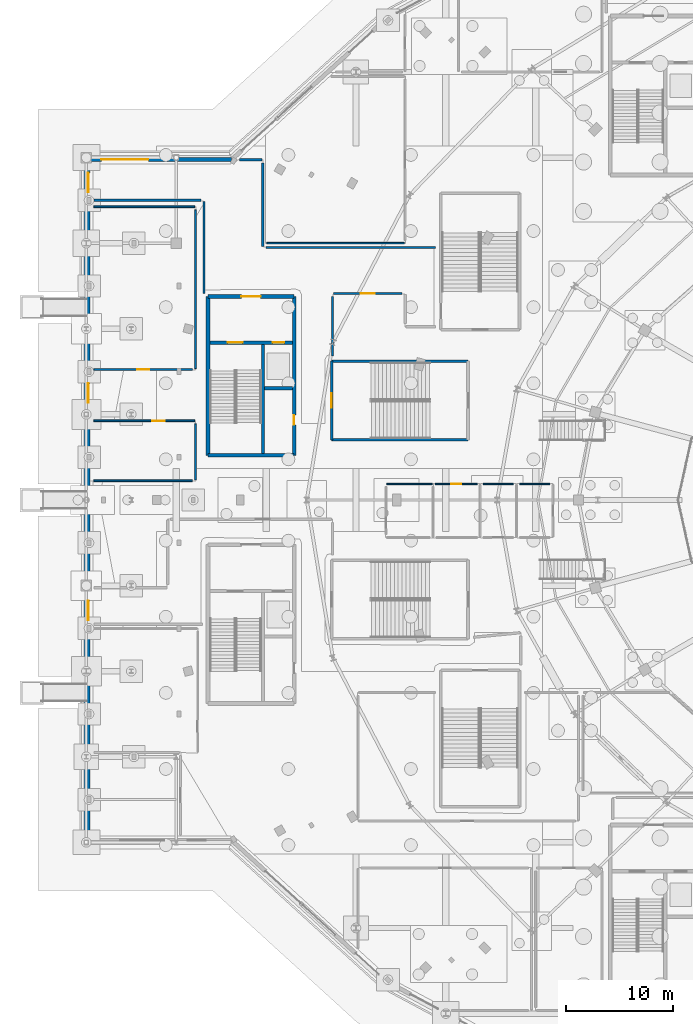
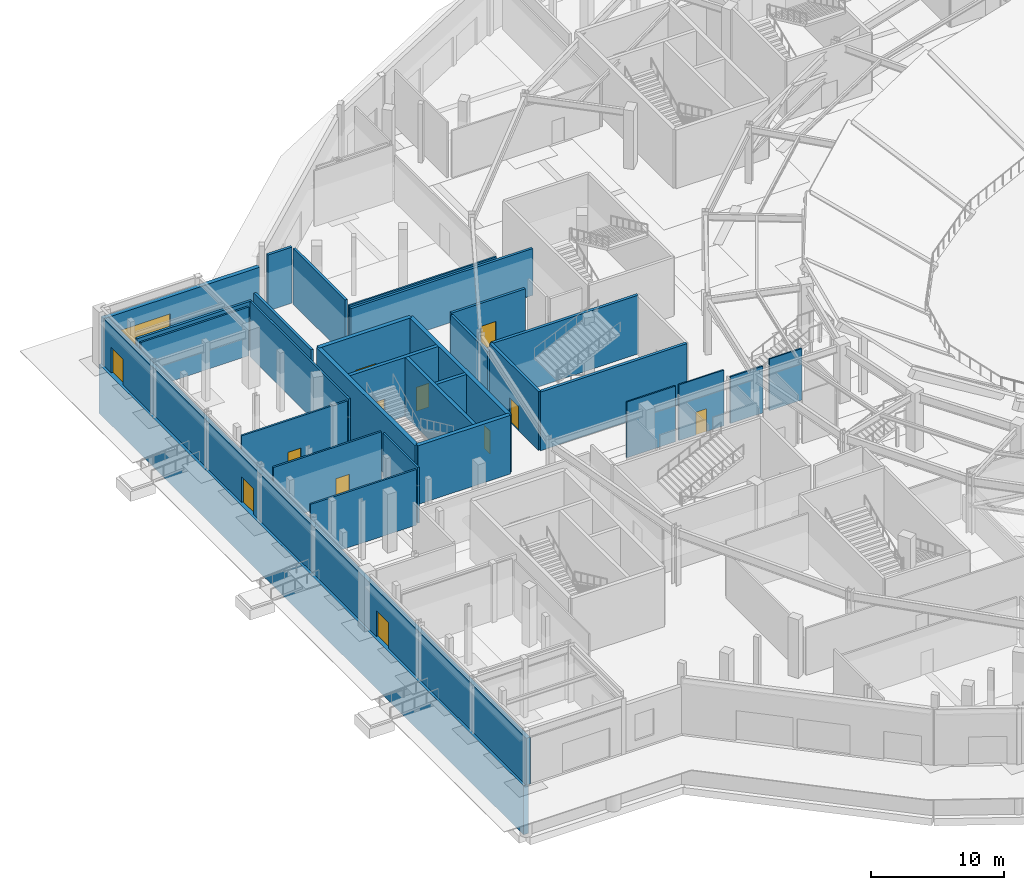
# One storey, part 56 of 93: 31 walls, 13 doors, 13 openings.
"""IFC4 building model written with IfcOpenShell, lengths in metres."""

from ifc_helpers import new_model, si_unit, direction, frame, frame_2d, origin, place, context, subcontext, project, spatial, rectangle, extrude, material, layer, layer_set, type_object, element, fill, save


model = new_model("IFC4")

# Units and contexts
model_context = context("Model", 3, precision=1e-05, world=origin(), true_north=direction((0.0, 1.0)))
body_context = subcontext(model_context, "Body", "Model", "MODEL_VIEW")
ifc_project = project(units=[si_unit("LENGTHUNIT", "METRE"), si_unit("AREAUNIT", "SQUARE_METRE"), si_unit("VOLUMEUNIT", "CUBIC_METRE"), si_unit("PLANEANGLEUNIT", "RADIAN"), si_unit("MASSUNIT", "GRAM", prefix="KILO")], contexts=[model_context])

# Site, building, storey
site_placement = place(None, origin())
site = spatial("IfcSite", under=ifc_project, at=site_placement, CompositionType="ELEMENT")
building_placement = place(site_placement, origin())
building = spatial("IfcBuilding", under=site, at=building_placement, Name="Kalgoora Escarpment Arena", CompositionType="ELEMENT")
storey_placement = place(building_placement, origin())
storey = spatial("IfcBuildingStorey", under=building, at=storey_placement, Name="L00", CompositionType="ELEMENT", Elevation=0.0)

# Wall
ifc_material_1 = material(Name="Concrete N50 (fc' 50 MPa)", Category="concrete")
ifc_layer_1 = layer(ifc_material_1, 0.35009765625)
ifc_layer_set_1 = layer_set([ifc_layer_1], Name="WAL-CORE-350")
wall_type_1 = type_object("IfcWallType", Name="WAL-CORE-350", PredefinedType="SHEAR", material=ifc_layer_set_1)
wall_1_placement = place(storey_placement, frame((11.375, 68.175048828125, 0.0), z_axis=(0.0, 0.0, 1.0), x_axis=(1.0, 0.0, 0.0)))
element("IfcWall", 1, at=wall_1_placement, inside=storey, type_object=wall_type_1, Name="Core C1 L00 south shear wall", PredefinedType="SHEAR", context=body_context, shape_type="SweptSolid", body=[
    extrude(rectangle(XDim=8.050048828125, YDim=0.35009765625, at=frame_2d((4.02490234375, 0.0))), origin(), (0.0, 0.0, 1.0), 5.39990234375),
])

# Wall, opening, door
wall_2_placement = place(storey_placement, frame((11.375, 83.02490234375, 0.0), z_axis=(0.0, 0.0, 1.0), x_axis=(1.0, 0.0, 0.0)))
wall_2 = element("IfcWall", 2, at=wall_2_placement, inside=storey, type_object=wall_type_1, Name="Core C1 L00 north lobby wall", PredefinedType="SHEAR", context=body_context, shape_type="SweptSolid", body=[
    extrude(rectangle(XDim=8.050048828125, YDim=0.35009765625, at=frame_2d((4.02490234375, 0.0))), origin(), (0.0, 0.0, 1.0), 5.39990234375),
])
opening_1_placement = place(wall_2_placement, frame((3.125, 0.0, 0.0)))
opening_1 = element("IfcOpeningElement", 3, at=opening_1_placement, cuts=wall_2, Name="Opening FD-C1L", PredefinedType="OPENING", context=body_context, shape_type="SweptSolid", body=[
    extrude(rectangle(XDim=1.800048828125, YDim=2.25, at=frame_2d((0.89990234375, 1.125))), frame((0.0, 0.18505859375, 0.0), z_axis=(0.0, -1.0, 0.0), x_axis=(1.0, 0.0, 0.0)), (0.0, 0.0, 1.0), 0.3701171875),
])
ifc_material_2 = material(Name="Double fire-rated smoke-seal lobby door")
door_type_1 = type_object("IfcDoorType", Name="DR-LOBBY-1800", OperationType="NOTDEFINED", PredefinedType="DOOR", material=ifc_material_2)
door_1_placement = place(opening_1_placement, origin())
door_1 = element("IfcDoor", 4, at=door_1_placement, inside=storey, type_object=door_type_1, Name="Core C1 L00 smoke-lobby fire door", OperationType="DOUBLE_DOOR_SINGLE_SWING", OverallHeight=2.25, OverallWidth=1.800048828125, PredefinedType="DOOR", context=body_context, shape_type="SweptSolid", body=[
    extrude(rectangle(XDim=1.800048828125, YDim=2.25, at=frame_2d((0.89990234375, 1.125))), frame((0.0, 0.02490234375, 0.0), z_axis=(0.0, -1.0, 0.0), x_axis=(1.0, 0.0, 0.0)), (0.0, 0.0, 1.0), 0.050048828125),
])
fill(opening_1, door_1)

# Wall
wall_3_placement = place(storey_placement, frame((11.375, 68.175048828125, 0.0), z_axis=(0.0, 0.0, 1.0), x_axis=(0.0, 1.0, 0.0)))
element("IfcWall", 5, at=wall_3_placement, inside=storey, type_object=wall_type_1, Name="Core C1 L00 west shear wall", PredefinedType="SHEAR", context=body_context, shape_type="SweptSolid", body=[
    extrude(rectangle(XDim=14.849853515625, YDim=0.35009765625, at=frame_2d((7.4248046875, 0.0))), origin(), (0.0, 0.0, 1.0), 5.39990234375),
])

# Wall, opening, door
wall_4_placement = place(storey_placement, frame((19.425048828125, 68.175048828125, 0.0), z_axis=(0.0, 0.0, 1.0), x_axis=(0.0, 1.0, 0.0)))
wall_4 = element("IfcWall", 6, at=wall_4_placement, inside=storey, type_object=wall_type_1, Name="Core C1 L00 east shear wall", PredefinedType="SHEAR", context=body_context, shape_type="SweptSolid", body=[
    extrude(rectangle(XDim=14.849853515625, YDim=0.35009765625, at=frame_2d((7.4248046875, 0.0))), origin(), (0.0, 0.0, 1.0), 5.39990234375),
])
opening_2_placement = place(wall_4_placement, frame((2.85498046875, 0.0, 0.0)))
opening_2 = element("IfcOpeningElement", 7, at=opening_2_placement, cuts=wall_4, Name="Opening FD-C1R", PredefinedType="OPENING", context=body_context, shape_type="SweptSolid", body=[
    extrude(rectangle(XDim=0.89990234375, YDim=2.10009765625, at=frame_2d((0.449951171875, 1.050048828125))), frame((0.0, 0.18505859375, 0.0), z_axis=(0.0, -1.0, 0.0), x_axis=(1.0, 0.0, 0.0)), (0.0, 0.0, 1.0), 0.3701171875),
])
ifc_material_3 = material(Name="Fire-rated steel riser access door", Category="steel")
door_type_2 = type_object("IfcDoorType", Name="DR-RISER-0900", OperationType="NOTDEFINED", PredefinedType="DOOR", material=ifc_material_3)
door_2_placement = place(opening_2_placement, origin())
door_2 = element("IfcDoor", 8, at=door_2_placement, inside=storey, type_object=door_type_2, Name="Core C1 L00 riser cupboard access door", OperationType="SINGLE_SWING_RIGHT", OverallHeight=2.10009765625, OverallWidth=0.89990234375, PredefinedType="DOOR", context=body_context, shape_type="SweptSolid", body=[
    extrude(rectangle(XDim=0.89990234375, YDim=2.10009765625, at=frame_2d((0.449951171875, 1.050048828125))), frame((0.0, 0.02490234375, 0.0), z_axis=(0.0, -1.0, 0.0), x_axis=(1.0, 0.0, 0.0)), (0.0, 0.0, 1.0), 0.050048828125),
])
fill(opening_2, door_2)

# Wall, openings, doors
ifc_material_4 = material(Name="Cream limestone-faced precast concrete 40 MPa", Category="masonry")
ifc_layer_2 = layer(ifc_material_4, 0.360107421875)
ifc_layer_set_2 = layer_set([ifc_layer_2], Name="WAL-EXT-360")
wall_type_2 = type_object("IfcWallType", Name="WAL-EXT-360", PredefinedType="SOLIDWALL", material=ifc_layer_set_2)
wall_5_placement = place(storey_placement, frame((0.179931640625, 31.956787109375, 0.0), z_axis=(0.0, 0.0, 1.0), x_axis=(0.0, 1.0, 0.0)))
wall_5 = element("IfcWall", 9, at=wall_5_placement, inside=storey, type_object=wall_type_2, Name="L00 limestone-faced external wall 011", PredefinedType="SOLIDWALL", context=body_context, shape_type="SweptSolid", body=[
    extrude(rectangle(XDim=64.08642578125, YDim=0.360107421875, at=frame_2d((32.043212890625, 0.0))), origin(), (0.0, 0.0, 1.0), 4.324951171875),
])
opening_3_placement = place(wall_5_placement, frame((60.81005859375, 0.0, 0.0)))
opening_3 = element("IfcOpeningElement", 10, at=opening_3_placement, cuts=wall_5, Name="Opening G04", PredefinedType="OPENING", context=body_context, shape_type="SweptSolid", body=[
    extrude(rectangle(XDim=1.800048828125, YDim=2.35009765625, at=frame_2d((0.89990234375, 1.175048828125))), frame((0.0, 0.18994140625, 0.0), z_axis=(0.0, -1.0, 0.0), x_axis=(1.0, 0.0, 0.0)), (0.0, 0.0, 1.0), 0.380126953125),
])
opening_4_placement = place(wall_5_placement, frame((20.81005859375, 0.0, 0.0)))
opening_4 = element("IfcOpeningElement", 11, at=opening_4_placement, cuts=wall_5, Name="Opening G05", PredefinedType="OPENING", context=body_context, shape_type="SweptSolid", body=[
    extrude(rectangle(XDim=1.800048828125, YDim=2.35009765625, at=frame_2d((0.89990234375, 1.175048828125))), frame((0.0, 0.18994140625, 0.0), z_axis=(0.0, -1.0, 0.0), x_axis=(1.0, 0.0, 0.0)), (0.0, 0.0, 1.0), 0.380126953125),
])
opening_5_placement = place(wall_5_placement, frame((41.14306640625, 0.0, 0.0)))
opening_5 = element("IfcOpeningElement", 12, at=opening_5_placement, cuts=wall_5, Name="Opening G11", PredefinedType="OPENING", context=body_context, shape_type="SweptSolid", body=[
    extrude(rectangle(XDim=1.800048828125, YDim=2.35009765625, at=frame_2d((0.89990234375, 1.175048828125))), frame((0.0, 0.18994140625, 0.0), z_axis=(0.0, -1.0, 0.0), x_axis=(1.0, 0.0, 0.0)), (0.0, 0.0, 1.0), 0.380126953125),
])
ifc_material_5 = material(Name="Thermally broken aluminium glazed terrace double door", Category="aluminium")
door_type_3 = type_object("IfcDoorType", Name="DR-TERR-1800", OperationType="NOTDEFINED", PredefinedType="DOOR", material=ifc_material_5)
door_3_placement = place(opening_3_placement, origin())
door_3 = element("IfcDoor", 13, at=door_3_placement, inside=storey, type_object=door_type_3, Name="Final pedestrian exit door G04", OperationType="DOUBLE_DOOR_SINGLE_SWING", OverallHeight=2.35009765625, OverallWidth=1.800048828125, PredefinedType="DOOR", context=body_context, shape_type="SweptSolid", body=[
    extrude(rectangle(XDim=1.800048828125, YDim=2.35009765625, at=frame_2d((0.89990234375, 1.175048828125))), frame((0.0, 0.02490234375, 0.0), z_axis=(0.0, -1.0, 0.0), x_axis=(1.0, 0.0, 0.0)), (0.0, 0.0, 1.0), 0.050048828125),
])
fill(opening_3, door_3)
door_4_placement = place(opening_4_placement, origin())
door_4 = element("IfcDoor", 14, at=door_4_placement, inside=storey, type_object=door_type_3, Name="Final pedestrian exit door G05", OperationType="DOUBLE_DOOR_SINGLE_SWING", OverallHeight=2.35009765625, OverallWidth=1.800048828125, PredefinedType="DOOR", context=body_context, shape_type="SweptSolid", body=[
    extrude(rectangle(XDim=1.800048828125, YDim=2.35009765625, at=frame_2d((0.89990234375, 1.175048828125))), frame((0.0, 0.02490234375, 0.0), z_axis=(0.0, -1.0, 0.0), x_axis=(1.0, 0.0, 0.0)), (0.0, 0.0, 1.0), 0.050048828125),
])
fill(opening_4, door_4)
door_5_placement = place(opening_5_placement, origin())
door_5 = element("IfcDoor", 15, at=door_5_placement, inside=storey, type_object=door_type_3, Name="Final pedestrian exit door G11", OperationType="DOUBLE_DOOR_SINGLE_SWING", OverallHeight=2.35009765625, OverallWidth=1.800048828125, PredefinedType="DOOR", context=body_context, shape_type="SweptSolid", body=[
    extrude(rectangle(XDim=1.800048828125, YDim=2.35009765625, at=frame_2d((0.89990234375, 1.175048828125))), frame((0.0, 0.02490234375, 0.0), z_axis=(0.0, -1.0, 0.0), x_axis=(1.0, 0.0, 0.0)), (0.0, 0.0, 1.0), 0.050048828125),
])
fill(opening_5, door_5)

# Wall, opening, door
wall_6_placement = place(storey_placement, frame((-0.043212890625, 95.820068359375, 0.0), z_axis=(0.0, 0.0, 1.0), x_axis=(1.0, 0.0, 0.0)))
wall_6 = element("IfcWall", 16, at=wall_6_placement, inside=storey, type_object=wall_type_2, Name="L00 limestone-faced external wall 012", PredefinedType="SOLIDWALL", context=body_context, shape_type="SweptSolid", body=[
    extrude(rectangle(XDim=13.614501953125, YDim=0.360107421875, at=frame_2d((6.80712890625, 0.0))), origin(), (0.0, 0.0, 1.0), 4.324951171875),
])
opening_6_placement = place(wall_6_placement, frame((1.43994140625, 0.0, 0.0)))
opening_6 = element("IfcOpeningElement", 17, at=opening_6_placement, cuts=wall_6, Name="Opening G45", PredefinedType="OPENING", context=body_context, shape_type="SweptSolid", body=[
    extrude(rectangle(XDim=4.39990234375, YDim=2.75, at=frame_2d((2.199951171875, 1.375))), frame((0.0, 0.18994140625, 0.0), z_axis=(0.0, -1.0, 0.0), x_axis=(1.0, 0.0, 0.0)), (0.0, 0.0, 1.0), 0.380126953125),
])
ifc_material_6 = material(Name="Champagne anodised aluminium acoustic egress leaf", Category="aluminium")
door_type_4 = type_object("IfcDoorType", Name="DR-EGEXIT-2850", OperationType="NOTDEFINED", PredefinedType="DOOR", material=ifc_material_6)
door_6_placement = place(opening_6_placement, origin())
door_6 = element("IfcDoor", 18, at=door_6_placement, inside=storey, type_object=door_type_4, Name="Final pedestrian exit door G45", OperationType="DOUBLE_DOOR_SINGLE_SWING", OverallHeight=2.75, OverallWidth=4.39990234375, PredefinedType="DOOR", context=body_context, shape_type="SweptSolid", body=[
    extrude(rectangle(XDim=4.39990234375, YDim=2.75, at=frame_2d((2.199951171875, 1.375))), frame((0.0, 0.02490234375, 0.0), z_axis=(0.0, -1.0, 0.0), x_axis=(1.0, 0.0, 0.0)), (0.0, 0.0, 1.0), 0.050048828125),
])
fill(opening_6, door_6)

# Walls
ifc_material_7 = material(Name="Autoclaved aerated blockwork Concrete N40 (fc' 40 MPa)", Category="masonry")
ifc_layer_3 = layer(ifc_material_7, 0.219970703125)
ifc_layer_set_3 = layer_set([ifc_layer_3], Name="WAL-FIRE-220")
wall_type_3 = type_object("IfcWallType", Name="WAL-FIRE-220", PredefinedType="SOLIDWALL", material=ifc_layer_set_3)
wall_7_placement = place(storey_placement, frame((11.0, 83.293212890625, 0.0), z_axis=(0.0, 0.0, 1.0), x_axis=(0.0, 1.0, 0.0)))
element("IfcWall", 19, at=wall_7_placement, inside=storey, type_object=wall_type_3, Name="L00 North-West Protected Exit Passageway partition wall", PredefinedType="SOLIDWALL", context=body_context, shape_type="SweptSolid", body=[
    extrude(rectangle(XDim=8.626708984375, YDim=0.219970703125, at=frame_2d((4.3134765625, 0.0))), origin(), (0.0, 0.0, 1.0), 5.1298828125),
])
wall_8_placement = place(storey_placement, frame((10.715087890625, 92.0, 0.0), z_axis=(0.0, 0.0, 1.0), x_axis=(-1.0, 0.0, 0.0)))
element("IfcWall", 20, at=wall_8_placement, inside=storey, type_object=wall_type_3, Name="L00 North-West Protected Exit Passageway partition wall", PredefinedType="SOLIDWALL", context=body_context, shape_type="SweptSolid", body=[
    extrude(rectangle(XDim=10.005126953125, YDim=0.219970703125, at=frame_2d((5.00244140625, 0.0))), origin(), (0.0, 0.0, 1.0), 4.492919921875),
])
wall_9_placement = place(storey_placement, frame((14.32080078125, 95.79736328125, 0.0), z_axis=(0.0, 0.0, 1.0), x_axis=(0.999999323645, 0.00116306039, 0.0)))
element("IfcWall", 21, at=wall_9_placement, inside=storey, type_object=wall_type_3, Name="L00 North-West Protected Exit Passageway partition wall", PredefinedType="SOLIDWALL", context=body_context, shape_type="SweptSolid", body=[
    extrude(rectangle(XDim=2.09912109375, YDim=0.219970703125, at=frame_2d((1.049560546875, 0.0))), origin(), (0.0, 0.0, 1.0), 5.14990234375),
])
wall_10_placement = place(storey_placement, frame((16.5, 95.51513671875, 0.0), z_axis=(0.0, 0.0, 1.0), x_axis=(0.0, -1.0, 0.0)))
element("IfcWall", 22, at=wall_10_placement, inside=storey, type_object=wall_type_3, Name="L00 North-West Protected Exit Passageway partition wall", PredefinedType="SOLIDWALL", context=body_context, shape_type="SweptSolid", body=[
    extrude(rectangle(XDim=7.835205078125, YDim=0.219970703125, at=frame_2d((3.91748046875, 0.0))), origin(), (0.0, 0.0, 1.0), 5.1298828125),
])
wall_11_placement = place(storey_placement, frame((16.784912109375, 87.60009765625, 0.0), z_axis=(0.0, 0.0, 1.0), x_axis=(1.0, 0.0, 0.0)))
element("IfcWall", 23, at=wall_11_placement, inside=storey, type_object=wall_type_3, Name="L00 North-West Protected Exit Passageway partition wall", PredefinedType="SOLIDWALL", context=body_context, shape_type="SweptSolid", body=[
    extrude(rectangle(XDim=15.840087890625, YDim=0.219970703125, at=frame_2d((7.919921875, 0.0))), origin(), (0.0, 0.0, 1.0), 4.304931640625),
])

# Wall, opening, door
wall_12_placement = place(storey_placement, frame((29.51513671875, 83.300048828125, 0.0), z_axis=(0.0, 0.0, 1.0), x_axis=(-1.0, 0.0, 0.0)))
wall_12 = element("IfcWall", 24, at=wall_12_placement, inside=storey, type_object=wall_type_3, Name="L00 North-West Protected Exit Passageway partition wall", PredefinedType="SOLIDWALL", context=body_context, shape_type="SweptSolid", body=[
    extrude(rectangle(XDim=6.43505859375, YDim=0.219970703125, at=frame_2d((3.217529296875, 0.0))), origin(), (0.0, 0.0, 1.0), 4.304931640625),
])
opening_7_placement = place(wall_12_placement, frame((2.5576171875, 0.0, 0.0)))
opening_7 = element("IfcOpeningElement", 25, at=opening_7_placement, cuts=wall_12, Name="Opening FD-I036", PredefinedType="OPENING", context=body_context, shape_type="SweptSolid", body=[
    extrude(rectangle(XDim=1.320068359375, YDim=2.199951171875, at=frame_2d((0.66015625, 1.10009765625))), frame((0.0, 0.119873046875, 0.0), z_axis=(0.0, -1.0, 0.0), x_axis=(1.0, 0.0, 0.0)), (0.0, 0.0, 1.0), 0.239990234375),
])
ifc_material_8 = material(Name="Fire-rated steel stair leaf with vision panel", Category="steel")
door_type_5 = type_object("IfcDoorType", Name="DR-STAIR-1320", OperationType="NOTDEFINED", PredefinedType="DOOR", material=ifc_material_8)
door_7_placement = place(opening_7_placement, origin())
door_7 = element("IfcDoor", 26, at=door_7_placement, inside=storey, type_object=door_type_5, Name="North-West Protected Exit Passageway entrance door", OperationType="SINGLE_SWING_LEFT", OverallHeight=2.199951171875, OverallWidth=1.320068359375, PredefinedType="DOOR", context=body_context, shape_type="SweptSolid", body=[
    extrude(rectangle(XDim=1.320068359375, YDim=2.199951171875, at=frame_2d((0.66015625, 1.10009765625))), frame((0.0, 0.02490234375, 0.0), z_axis=(0.0, -1.0, 0.0), x_axis=(1.0, 0.0, 0.0)), (0.0, 0.0, 1.0), 0.050048828125),
])
fill(opening_7, door_7)

# Wall
wall_13_placement = place(storey_placement, frame((23.0, 83.01513671875, 0.0), z_axis=(0.0, 0.0, 1.0), x_axis=(0.0, -1.0, 0.0)))
element("IfcWall", 27, at=wall_13_placement, inside=storey, type_object=wall_type_3, Name="L00 North-West Protected Exit Passageway partition wall", PredefinedType="SOLIDWALL", context=body_context, shape_type="SweptSolid", body=[
    extrude(rectangle(XDim=5.5400390625, YDim=0.219970703125, at=frame_2d((2.77001953125, 0.0))), origin(), (0.0, 0.0, 1.0), 4.304931640625),
])

# Wall, opening, door
ifc_material_9 = material(Name="Broadcast acoustic double-stud partition", Category="gypsum")
ifc_layer_4 = layer(ifc_material_9, 0.1650390625)
ifc_layer_set_4 = layer_set([ifc_layer_4], Name="WAL-MED-165")
wall_type_4 = type_object("IfcWallType", Name="WAL-MED-165", PredefinedType="PARTITIONING", material=ifc_layer_set_4)
wall_14_placement = place(storey_placement, frame((0.7099609375, 71.39990234375, 0.0), z_axis=(0.0, 0.0, 1.0), x_axis=(1.0, 0.0, 0.0)))
wall_14 = element("IfcWall", 28, at=wall_14_placement, inside=storey, type_object=wall_type_4, Name="L00 Media Centre partition wall", PredefinedType="PARTITIONING", context=body_context, shape_type="SweptSolid", body=[
    extrude(rectangle(XDim=9.41015625, YDim=0.1650390625, at=frame_2d((4.705078125, 0.0))), origin(), (0.0, 0.0, 1.0), 5.1298828125),
])
opening_8_placement = place(wall_14_placement, frame((5.45166015625, 0.0, 0.0)))
opening_8 = element("IfcOpeningElement", 29, at=opening_8_placement, cuts=wall_14, Name="Opening FD-I024", PredefinedType="OPENING", context=body_context, shape_type="SweptSolid", body=[
    extrude(rectangle(XDim=1.14990234375, YDim=2.199951171875, at=frame_2d((0.574951171875, 1.10009765625))), frame((0.0, 0.092529296875, 0.0), z_axis=(0.0, -1.0, 0.0), x_axis=(1.0, 0.0, 0.0)), (0.0, 0.0, 1.0), 0.18505859375),
])
ifc_material_10 = material(Name="Acoustic seal commentary suite leaf")
door_type_6 = type_object("IfcDoorType", Name="DR-MED-1150", OperationType="NOTDEFINED", PredefinedType="DOOR", material=ifc_material_10)
door_8_placement = place(opening_8_placement, origin())
door_8 = element("IfcDoor", 30, at=door_8_placement, inside=storey, type_object=door_type_6, Name="Media Centre entrance door", OperationType="SINGLE_SWING_LEFT", OverallHeight=2.199951171875, OverallWidth=1.14990234375, PredefinedType="DOOR", context=body_context, shape_type="SweptSolid", body=[
    extrude(rectangle(XDim=1.14990234375, YDim=2.199951171875, at=frame_2d((0.574951171875, 1.10009765625))), frame((0.0, 0.02490234375, 0.0), z_axis=(0.0, -1.0, 0.0), x_axis=(1.0, 0.0, 0.0)), (0.0, 0.0, 1.0), 0.050048828125),
])
fill(opening_8, door_8)

# Walls
wall_15_placement = place(storey_placement, frame((10.199951171875, 71.115234375, 0.0), z_axis=(0.0, 0.0, 1.0), x_axis=(0.0, -1.0, 0.0)))
element("IfcWall", 31, at=wall_15_placement, inside=storey, type_object=wall_type_4, Name="L00 Media Centre partition wall", PredefinedType="PARTITIONING", context=body_context, shape_type="SweptSolid", body=[
    extrude(rectangle(XDim=5.2353515625, YDim=0.1650390625, at=frame_2d((2.61767578125, 0.0))), origin(), (0.0, 0.0, 1.0), 5.1298828125),
])
wall_16_placement = place(storey_placement, frame((9.915283203125, 65.800048828125, 0.0), z_axis=(0.0, 0.0, 1.0), x_axis=(-1.0, 0.0, 0.0)))
element("IfcWall", 32, at=wall_16_placement, inside=storey, type_object=wall_type_4, Name="L00 Media Centre partition wall", PredefinedType="PARTITIONING", context=body_context, shape_type="SweptSolid", body=[
    extrude(rectangle(XDim=9.205322265625, YDim=0.1650390625, at=frame_2d((4.6025390625, 0.0))), origin(), (0.0, 0.0, 1.0), 5.1298828125),
])
wall_17_placement = place(storey_placement, frame((0.7099609375, 91.39990234375, 0.0), z_axis=(0.0, 0.0, 1.0), x_axis=(1.0, 0.0, 0.0)))
element("IfcWall", 33, at=wall_17_placement, inside=storey, type_object=wall_type_4, Name="L00 Press Interview Auditorium partition wall", PredefinedType="PARTITIONING", context=body_context, shape_type="SweptSolid", body=[
    extrude(rectangle(XDim=9.41015625, YDim=0.1650390625, at=frame_2d((4.705078125, 0.0))), origin(), (0.0, 0.0, 1.0), 4.492919921875),
])
wall_18_placement = place(storey_placement, frame((10.199951171875, 91.115234375, 0.0), z_axis=(0.0, 0.0, 1.0), x_axis=(0.0, -1.0, 0.0)))
element("IfcWall", 34, at=wall_18_placement, inside=storey, type_object=wall_type_4, Name="L00 Press Interview Auditorium partition wall", PredefinedType="PARTITIONING", context=body_context, shape_type="SweptSolid", body=[
    extrude(rectangle(XDim=14.835205078125, YDim=0.1650390625, at=frame_2d((7.41748046875, 0.0))), origin(), (0.0, 0.0, 1.0), 5.1298828125),
])

# Wall, opening, door
wall_19_placement = place(storey_placement, frame((9.915283203125, 76.199951171875, 0.0), z_axis=(0.0, 0.0, 1.0), x_axis=(-1.0, 0.0, 0.0)))
wall_19 = element("IfcWall", 35, at=wall_19_placement, inside=storey, type_object=wall_type_4, Name="L00 Press Interview Auditorium partition wall", PredefinedType="PARTITIONING", context=body_context, shape_type="SweptSolid", body=[
    extrude(rectangle(XDim=9.205322265625, YDim=0.1650390625, at=frame_2d((4.6025390625, 0.0))), origin(), (0.0, 0.0, 1.0), 5.1298828125),
])
opening_9_placement = place(wall_19_placement, frame((4.027587890625, 0.0, 0.0)))
opening_9 = element("IfcOpeningElement", 36, at=opening_9_placement, cuts=wall_19, Name="Opening FD-I025", PredefinedType="OPENING", context=body_context, shape_type="SweptSolid", body=[
    extrude(rectangle(XDim=1.14990234375, YDim=2.199951171875, at=frame_2d((0.574951171875, 1.10009765625))), frame((0.0, 0.092529296875, 0.0), z_axis=(0.0, -1.0, 0.0), x_axis=(1.0, 0.0, 0.0)), (0.0, 0.0, 1.0), 0.18505859375),
])
door_9_placement = place(opening_9_placement, origin())
door_9 = element("IfcDoor", 37, at=door_9_placement, inside=storey, type_object=door_type_6, Name="Press Interview Auditorium entrance door", OperationType="SINGLE_SWING_RIGHT", OverallHeight=2.199951171875, OverallWidth=1.14990234375, PredefinedType="DOOR", context=body_context, shape_type="SweptSolid", body=[
    extrude(rectangle(XDim=1.14990234375, YDim=2.199951171875, at=frame_2d((0.574951171875, 1.10009765625))), frame((0.0, 0.02490234375, 0.0), z_axis=(0.0, -1.0, 0.0), x_axis=(1.0, 0.0, 0.0)), (0.0, 0.0, 1.0), 0.050048828125),
])
fill(opening_9, door_9)

# Walls
ifc_material_11 = material(Name="Concrete N40 (fc' 40 MPa)", Category="concrete")
ifc_layer_5 = layer(ifc_material_11, 0.43994140625)
ifc_layer_set_5 = layer_set([ifc_layer_5], Name="WAL-RET-440")
wall_type_5 = type_object("IfcWallType", Name="WAL-RET-440", PredefinedType="USERDEFINED", material=ifc_layer_set_5)
wall_20_placement = place(storey_placement, frame((0.0, 32.0, -4.5), z_axis=(0.0, 0.0, 1.0), x_axis=(0.0, 1.0, 0.0)))
element("IfcWall", 38, at=wall_20_placement, inside=storey, type_object=wall_type_5, Name="Escarpment stepped limestone plinth retaining wall 09", ObjectType="RETAININGWALL", PredefinedType="USERDEFINED", context=body_context, shape_type="SweptSolid", body=[
    extrude(rectangle(XDim=64.0, YDim=0.43994140625, at=frame_2d((32.0, 0.0))), origin(), (0.0, 0.0, 1.0), 4.5),
])
ifc_material_12 = material(Name="Insulated steel-stud acoustic partition", Category="steel")
ifc_layer_6 = layer(ifc_material_12, 0.14501953125)
ifc_layer_set_6 = layer_set([ifc_layer_6], Name="WAL-ROOM-145")
wall_type_6 = type_object("IfcWallType", Name="WAL-ROOM-145", PredefinedType="PARTITIONING", material=ifc_layer_set_6)
wall_21_placement = place(storey_placement, frame((29.719970703125, 88.0, 0.0), z_axis=(0.0, 0.0, 1.0), x_axis=(-1.0, 0.0, 0.0)))
element("IfcWall", 39, at=wall_21_placement, inside=storey, type_object=wall_type_6, Name="L00 Central Kitchen Commissary partition wall", PredefinedType="PARTITIONING", context=body_context, shape_type="SweptSolid", body=[
    extrude(rectangle(XDim=12.840087890625, YDim=0.14501953125, at=frame_2d((6.419921875, 0.0))), origin(), (0.0, 0.0, 1.0), 4.304931640625),
])

# Wall, openings, doors
ifc_material_13 = material(Name="Concrete N50 (fc' 50 MPa)", Category="concrete")
ifc_layer_7 = layer(ifc_material_13, 0.300048828125)
ifc_layer_set_7 = layer_set([ifc_layer_7], Name="WAL-SHAFT-300")
wall_type_7 = type_object("IfcWallType", Name="WAL-SHAFT-300", PredefinedType="SHEAR", material=ifc_layer_set_7)
wall_22_placement = place(storey_placement, frame((11.550048828125, 78.699951171875, 0.0), z_axis=(0.0, 0.0, 1.0), x_axis=(1.0, 0.0, 0.0)))
wall_22 = element("IfcWall", 40, at=wall_22_placement, inside=storey, type_object=wall_type_7, Name="Core C1 L00 lobby shaft wall", PredefinedType="SHEAR", context=body_context, shape_type="SweptSolid", body=[
    extrude(rectangle(XDim=7.699951171875, YDim=0.300048828125, at=frame_2d((3.85009765625, 0.0))), origin(), (0.0, 0.0, 1.0), 5.39990234375),
])
opening_10_placement = place(wall_22_placement, frame((1.64990234375, 0.0, 0.0)))
opening_10 = element("IfcOpeningElement", 41, at=opening_10_placement, cuts=wall_22, Name="Opening FD-ST01", PredefinedType="OPENING", context=body_context, shape_type="SweptSolid", body=[
    extrude(rectangle(XDim=1.39990234375, YDim=2.199951171875, at=frame_2d((0.699951171875, 1.10009765625))), frame((0.0, 0.159912109375, 0.0), z_axis=(0.0, -1.0, 0.0), x_axis=(1.0, 0.0, 0.0)), (0.0, 0.0, 1.0), 0.320068359375),
])
opening_11_placement = place(wall_22_placement, frame((5.85009765625, 0.0, 0.0)))
opening_11 = element("IfcOpeningElement", 42, at=opening_11_placement, cuts=wall_22, Name="Opening LD-EL1", PredefinedType="OPENING", context=body_context, shape_type="SweptSolid", body=[
    extrude(rectangle(XDim=1.10009765625, YDim=2.199951171875, at=frame_2d((0.550048828125, 1.10009765625))), frame((0.0, 0.159912109375, 0.0), z_axis=(0.0, -1.0, 0.0), x_axis=(1.0, 0.0, 0.0)), (0.0, 0.0, 1.0), 0.320068359375),
])
ifc_material_14 = material(Name="Brushed stainless steel sliding lift landing door", Category="steel")
door_type_7 = type_object("IfcDoorType", Name="DR-LD-EL1", OperationType="SLIDING_TO_LEFT", PredefinedType="DOOR", material=ifc_material_14)
door_10_placement = place(opening_11_placement, origin())
door_10 = element("IfcDoor", 43, at=door_10_placement, inside=storey, type_object=door_type_7, Name="Lift EL1 L00 sliding landing door", OperationType="SLIDING_TO_LEFT", OverallHeight=2.199951171875, OverallWidth=1.10009765625, PredefinedType="DOOR", context=body_context, shape_type="SweptSolid", body=[
    extrude(rectangle(XDim=1.10009765625, YDim=2.199951171875, at=frame_2d((0.550048828125, 1.10009765625))), frame((0.0, 0.02490234375, 0.0), z_axis=(0.0, -1.0, 0.0), x_axis=(1.0, 0.0, 0.0)), (0.0, 0.0, 1.0), 0.050048828125),
])
fill(opening_11, door_10)
ifc_material_15 = material(Name="Fire-rated steel stair leaf with vision panel", Category="steel")
door_type_8 = type_object("IfcDoorType", Name="DR-STAIR-1400", OperationType="NOTDEFINED", PredefinedType="DOOR", material=ifc_material_15)
door_11_placement = place(opening_10_placement, origin())
door_11 = element("IfcDoor", 44, at=door_11_placement, inside=storey, type_object=door_type_8, Name="Fire stair ST01 L00 fire door", OperationType="SINGLE_SWING_LEFT", OverallHeight=2.199951171875, OverallWidth=1.39990234375, PredefinedType="DOOR", context=body_context, shape_type="SweptSolid", body=[
    extrude(rectangle(XDim=1.39990234375, YDim=2.199951171875, at=frame_2d((0.699951171875, 1.10009765625))), frame((0.0, 0.02490234375, 0.0), z_axis=(0.0, -1.0, 0.0), x_axis=(1.0, 0.0, 0.0)), (0.0, 0.0, 1.0), 0.050048828125),
])
fill(opening_10, door_11)

# Walls
wall_23_placement = place(storey_placement, frame((16.5, 68.35009765625, 0.0), z_axis=(0.0, 0.0, 1.0), x_axis=(0.0, 1.0, 0.0)))
element("IfcWall", 45, at=wall_23_placement, inside=storey, type_object=wall_type_7, Name="Core C1 L00 stair-lift spine wall", PredefinedType="SHEAR", context=body_context, shape_type="SweptSolid", body=[
    extrude(rectangle(XDim=10.349853515625, YDim=0.300048828125, at=frame_2d((5.1748046875, 0.0))), origin(), (0.0, 0.0, 1.0), 5.39990234375),
])
wall_24_placement = place(storey_placement, frame((16.64990234375, 74.449951171875, 0.0), z_axis=(0.0, 0.0, 1.0), x_axis=(1.0, 0.0, 0.0)))
element("IfcWall", 46, at=wall_24_placement, inside=storey, type_object=wall_type_7, Name="Core C1 L00 lift-riser divider wall", PredefinedType="SHEAR", context=body_context, shape_type="SweptSolid", body=[
    extrude(rectangle(XDim=2.60009765625, YDim=0.300048828125, at=frame_2d((1.300048828125, 0.0))), origin(), (0.0, 0.0, 1.0), 5.39990234375),
])
ifc_material_16 = material(Name="Concrete N50 (fc' 50 MPa)", Category="concrete")
ifc_layer_8 = layer(ifc_material_16, 0.25)
ifc_layer_set_8 = layer_set([ifc_layer_8], Name="WAL-STAIR-250")
wall_type_8 = type_object("IfcWallType", Name="WAL-STAIR-250", PredefinedType="SHEAR", material=ifc_layer_set_8)
for number, where, z_axis, x_axis, name in (
    (47, (22.925048828125, 69.625, 0.0), (0.0, 0.0, 1.0), (1.0, 0.0, 0.0), "Exit stair ST17 L00 south wall"),
    (48, (22.925048828125, 76.97509765625, 0.0), (0.0, 0.0, 1.0), (1.0, 0.0, 0.0), "Exit stair ST17 L00 north wall"),
):
    element("IfcWall", number, at=place(storey_placement, frame(where, z_axis=z_axis, x_axis=x_axis)), inside=storey, type_object=wall_type_8, Name=name, PredefinedType="SHEAR", context=body_context, shape_type="SweptSolid", body=[
        extrude(rectangle(XDim=12.75, YDim=0.25, at=frame_2d((6.375, 0.0))), origin(), (0.0, 0.0, 1.0), 5.39990234375),
    ])

# Wall, opening, door
wall_25_placement = place(storey_placement, frame((22.925048828125, 69.625, 0.0), z_axis=(0.0, 0.0, 1.0), x_axis=(0.0, 1.0, 0.0)))
wall_25 = element("IfcWall", 49, at=wall_25_placement, inside=storey, type_object=wall_type_8, Name="Exit stair ST17 L00 west wall", PredefinedType="SHEAR", context=body_context, shape_type="SweptSolid", body=[
    extrude(rectangle(XDim=7.35009765625, YDim=0.25, at=frame_2d((3.675048828125, 0.0))), origin(), (0.0, 0.0, 1.0), 5.39990234375),
])
opening_12_placement = place(wall_25_placement, frame((3.014892578125, 0.0, 0.0)))
opening_12 = element("IfcOpeningElement", 50, at=opening_12_placement, cuts=wall_25, Name="Opening FD-ST17X", PredefinedType="OPENING", context=body_context, shape_type="SweptSolid", body=[
    extrude(rectangle(XDim=1.320068359375, YDim=2.199951171875, at=frame_2d((0.66015625, 1.10009765625))), frame((0.0, 0.135009765625, 0.0), z_axis=(0.0, -1.0, 0.0), x_axis=(1.0, 0.0, 0.0)), (0.0, 0.0, 1.0), 0.27001953125),
])
door_12_placement = place(opening_12_placement, origin())
door_12 = element("IfcDoor", 51, at=door_12_placement, inside=storey, type_object=door_type_5, Name="Fire-isolated stair ST17 L00 protected discharge door", OperationType="SINGLE_SWING_RIGHT", OverallHeight=2.199951171875, OverallWidth=1.320068359375, PredefinedType="DOOR", context=body_context, shape_type="SweptSolid", body=[
    extrude(rectangle(XDim=1.320068359375, YDim=2.199951171875, at=frame_2d((0.66015625, 1.10009765625))), frame((0.0, 0.02490234375, 0.0), z_axis=(0.0, -1.0, 0.0), x_axis=(1.0, 0.0, 0.0)), (0.0, 0.0, 1.0), 0.050048828125),
])
fill(opening_12, door_12)

# Wall
ifc_material_17 = material(Name="Moisture-resistant wet-area partition", Category="gypsum")
ifc_layer_9 = layer(ifc_material_17, 0.125)
ifc_layer_set_9 = layer_set([ifc_layer_9], Name="WAL-WC-125")
wall_type_9 = type_object("IfcWallType", Name="WAL-WC-125", PredefinedType="PARTITIONING", material=ifc_layer_set_9)
wall_26_placement = place(storey_placement, frame((28.080078125, 65.5, 0.0), z_axis=(0.0, 0.0, 1.0), x_axis=(1.0, 0.0, 0.0)))
element("IfcWall", 52, at=wall_26_placement, inside=storey, type_object=wall_type_9, Name="L00 Male WC 1 partition wall", PredefinedType="PARTITIONING", context=body_context, shape_type="SweptSolid", body=[
    extrude(rectangle(XDim=4.239990234375, YDim=0.125, at=frame_2d((2.1201171875, 0.0))), origin(), (0.0, 0.0, 1.0), 5.1298828125),
])

# Wall, opening, door
wall_27_placement = place(storey_placement, frame((32.6201171875, 65.5, 0.0), z_axis=(0.0, 0.0, 1.0), x_axis=(1.0, 0.0, 0.0)))
wall_27 = element("IfcWall", 53, at=wall_27_placement, inside=storey, type_object=wall_type_9, Name="L00 Female WC 1 partition wall", PredefinedType="PARTITIONING", context=body_context, shape_type="SweptSolid", body=[
    extrude(rectangle(XDim=3.89501953125, YDim=0.125, at=frame_2d((1.947509765625, 0.0))), origin(), (0.0, 0.0, 1.0), 5.1298828125),
])
opening_13_placement = place(wall_27_placement, frame((1.487548828125, 0.0, 0.0)))
opening_13 = element("IfcOpeningElement", 54, at=opening_13_placement, cuts=wall_27, Name="Opening D-I002", PredefinedType="OPENING", context=body_context, shape_type="SweptSolid", body=[
    extrude(rectangle(XDim=0.919921875, YDim=2.10009765625, at=frame_2d((0.4599609375, 1.050048828125))), frame((0.0, 0.072509765625, 0.0), z_axis=(0.0, -1.0, 0.0), x_axis=(1.0, 0.0, 0.0)), (0.0, 0.0, 1.0), 0.14501953125),
])
ifc_material_18 = material(Name="Moisture-resistant laminate WC door")
door_type_9 = type_object("IfcDoorType", Name="DR-WC-0920", OperationType="NOTDEFINED", PredefinedType="DOOR", material=ifc_material_18)
door_13_placement = place(opening_13_placement, origin())
door_13 = element("IfcDoor", 55, at=door_13_placement, inside=storey, type_object=door_type_9, Name="Female WC 1 entrance door", OperationType="SINGLE_SWING_LEFT", OverallHeight=2.10009765625, OverallWidth=0.919921875, PredefinedType="DOOR", context=body_context, shape_type="SweptSolid", body=[
    extrude(rectangle(XDim=0.919921875, YDim=2.10009765625, at=frame_2d((0.4599609375, 1.050048828125))), frame((0.0, 0.02490234375, 0.0), z_axis=(0.0, -1.0, 0.0), x_axis=(1.0, 0.0, 0.0)), (0.0, 0.0, 1.0), 0.050048828125),
])
fill(opening_13, door_13)

# Walls
wall_28_placement = place(storey_placement, frame((37.084716796875, 65.5, 0.0), z_axis=(0.0, 0.0, 1.0), x_axis=(1.0, 0.0, 0.0)))
element("IfcWall", 56, at=wall_28_placement, inside=storey, type_object=wall_type_9, Name="L00 Accessible WC 1 partition wall", PredefinedType="PARTITIONING", context=body_context, shape_type="SweptSolid", body=[
    extrude(rectangle(XDim=2.83056640625, YDim=0.125, at=frame_2d((1.415283203125, 0.0))), origin(), (0.0, 0.0, 1.0), 4.304931640625),
])
wall_29_placement = place(storey_placement, frame((40.48486328125, 65.5, 0.0), z_axis=(0.0, 0.0, 1.0), x_axis=(1.0, 0.0, 0.0)))
element("IfcWall", 57, at=wall_29_placement, inside=storey, type_object=wall_type_9, Name="L00 Staff WC 1 partition wall", PredefinedType="PARTITIONING", context=body_context, shape_type="SweptSolid", body=[
    extrude(rectangle(XDim=2.830322265625, YDim=0.125, at=frame_2d((1.4150390625, 0.0))), origin(), (0.0, 0.0, 1.0), 4.74609375),
])

save(model, "model.ifc")
